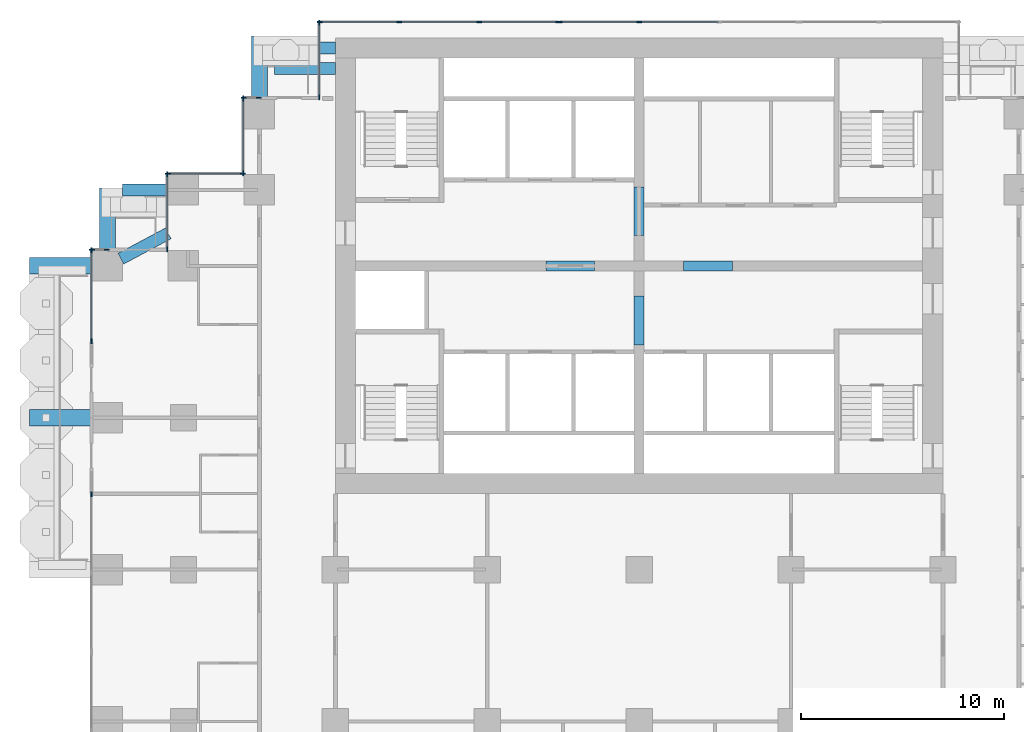
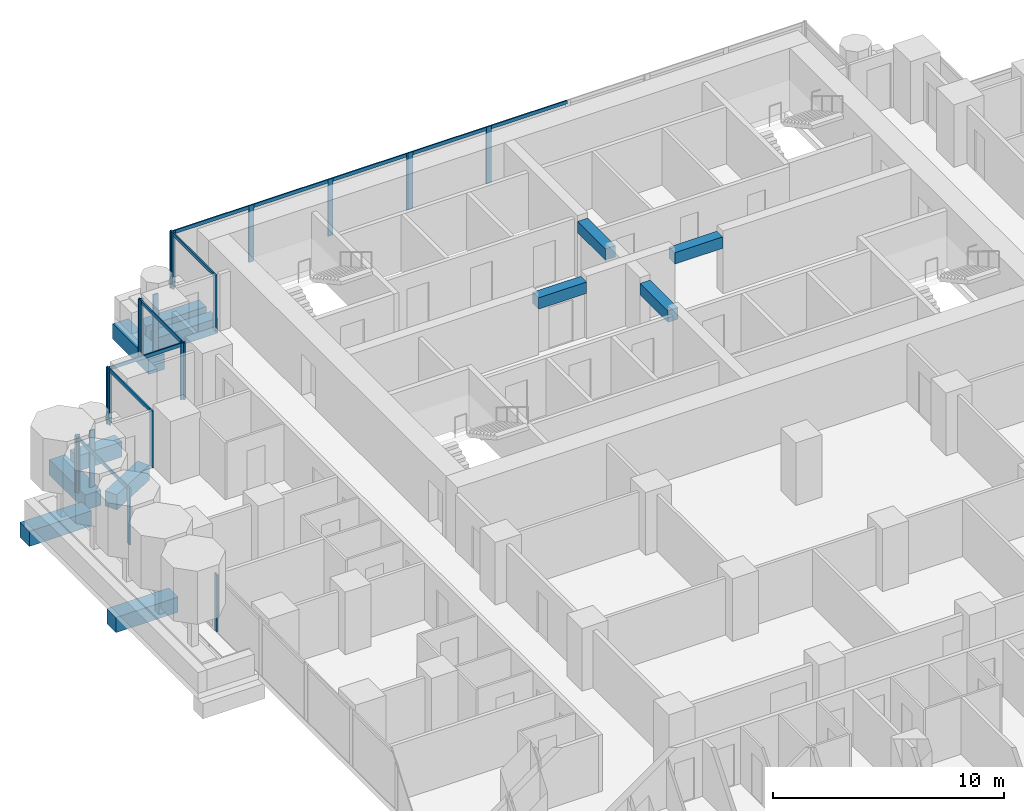
# One storey, part 5 of 19: 31 members, 12 beams, 10 elements without a shape of their own.
"""IFC4 building model written with IfcOpenShell, lengths in metres."""

from ifc_helpers import new_model, si_unit, direction, frame, origin, origin_2d, place, context, subcontext, project, spatial, rectangle, extrude, material, material_profile, profile_set, type_object, element, aggregate, save


model = new_model("IFC4")

# Units and contexts
model_context = context("Model", 3, precision=1e-05, world=origin(), true_north=direction((0.0, 1.0)))
body_context = subcontext(model_context, "Body", "Model", "MODEL_VIEW")
ifc_project = project(units=[si_unit("LENGTHUNIT", "METRE"), si_unit("AREAUNIT", "SQUARE_METRE"), si_unit("VOLUMEUNIT", "CUBIC_METRE"), si_unit("PLANEANGLEUNIT", "RADIAN"), si_unit("MASSUNIT", "GRAM", prefix="KILO")], contexts=[model_context])

# Site, building, storey
site_placement = place(None, origin())
site = spatial("IfcSite", under=ifc_project, at=site_placement, CompositionType="ELEMENT")
building_placement = place(site_placement, origin())
building = spatial("IfcBuilding", under=site, at=building_placement, Name="Pilkhan Gate Tower", CompositionType="ELEMENT")
storey_placement = place(building_placement, frame((0.0, 0.0, 69.199951171875)))
storey = spatial("IfcBuildingStorey", under=building, at=storey_placement, Name="L15", CompositionType="ELEMENT", Elevation=69.199951171875)

# Beams
ifc_material_1 = material(Name="Concrete C50/60", Category="concrete")
ifc_material_profile_1 = material_profile(ifc_material_1, rectangle(XDim=0.60009765625, YDim=0.800048828125, at=origin_2d()), Name="RC 600x800")
ifc_profile_set_1 = profile_set([ifc_material_profile_1], Name="Concrete C50/60")
beam_type_1 = type_object("IfcBeamType", Name="Cantilever beam CB1 RC 600x800 C50/60", PredefinedType="BEAM", material=ifc_profile_set_1)
for number, where, z_axis, x_axis, name in (
    (1, (60.0, 93.25, -0.699951171875), (-1.0, 0.0, 0.0), (0.0, -1.0, 0.0), "Balcony beam NW.2 L15"),
    (2, (60.0, 92.25, -0.699951171875), (-1.0, 0.0, 0.0), (0.0, -1.0, 0.0), "Balcony beam NW.3 L15"),
):
    element("IfcBeam", number, at=place(storey_placement, frame(where, z_axis=z_axis, x_axis=x_axis)), inside=storey, type_object=beam_type_1, Name=name, PredefinedType="BEAM", context=body_context, shape_type="SweptSolid", body=[
        extrude(rectangle(XDim=0.60009765625, YDim=0.800048828125, at=origin_2d()), origin(), (0.0, 0.0, 1.0), 3.0),
    ])
beam_1_placement = place(storey_placement, frame((51.75, 86.25, -0.699951171875), z_axis=(-1.0, 0.0, 0.0), x_axis=(0.0, -1.0, 0.0)))
element("IfcBeam", 3, at=beam_1_placement, inside=storey, type_object=beam_type_1, Name="Balcony beam NW2.2 L15", PredefinedType="BEAM", context=body_context, shape_type="SweptSolid", body=[
    extrude(rectangle(XDim=0.60009765625, YDim=0.800048828125, at=origin_2d()), origin(), (0.0, 0.0, 1.0), 2.25),
])
beam_2_placement = place(storey_placement, frame((49.411865234375, 82.85302734375, -0.699951171875), z_axis=(0.882342739565, 0.470607362817, 0.0), x_axis=(-0.470607362817, 0.882342739565, 0.0)))
element("IfcBeam", 4, at=beam_2_placement, inside=storey, type_object=beam_type_1, Name="Balcony beam NW2.3 L15", PredefinedType="BEAM", context=body_context, shape_type="SweptSolid", body=[
    extrude(rectangle(XDim=0.60009765625, YDim=0.800048828125, at=origin_2d()), origin(), (0.0, 0.0, 1.0), 2.64990234375),
])
ifc_material_profile_2 = material_profile(ifc_material_1, rectangle(XDim=0.800048828125, YDim=0.800048828125, at=origin_2d()), Name="RC 800x800")
ifc_profile_set_2 = profile_set([ifc_material_profile_2], Name="Concrete C50/60")
beam_type_2 = type_object("IfcBeamType", Name="Cantilever beam CB2 RC 800x800 C50/60", PredefinedType="BEAM", material=ifc_profile_set_2)
for number, where, z_axis, x_axis, name in (
    (5, (56.25, 90.75, -0.699951171875), (0.0, 1.0, 0.0), (-1.0, 0.0, 0.0), "Balcony beam NW.1 L15"),
    (6, (48.75, 83.25, -0.699951171875), (0.0, 1.0, 0.0), (-1.0, 0.0, 0.0), "Balcony beam NW2.1 L15"),
    (7, (48.0, 75.0, -0.699951171875), (-1.0, 0.0, 0.0), (0.0, -1.0, 0.0), "Balcony beam W.2 L15"),
    (8, (48.0, 82.5, -0.699951171875), (-1.0, 0.0, 0.0), (0.0, -1.0, 0.0), "Balcony beam W.3 L15"),
):
    element("IfcBeam", number, at=place(storey_placement, frame(where, z_axis=z_axis, x_axis=x_axis)), inside=storey, type_object=beam_type_2, Name=name, PredefinedType="BEAM", context=body_context, shape_type="SweptSolid", body=[
        extrude(rectangle(XDim=0.800048828125, YDim=0.800048828125, at=origin_2d()), origin(), (0.0, 0.0, 1.0), 3.10009765625),
    ])
ifc_material_2 = material(Name="Concrete C70/85", Category="concrete")
ifc_material_profile_3 = material_profile(ifc_material_2, rectangle(XDim=0.5, YDim=0.60009765625, at=origin_2d()), Name="RC 500x600")
ifc_profile_set_3 = profile_set([ifc_material_profile_3], Name="Concrete C70/85")
beam_type_3 = type_object("IfcBeamType", Name="Coupling beam CB60 RC 500x600 C70/85", PredefinedType="LINTEL", material=ifc_profile_set_3)
for number, where, z_axis, x_axis, name in (
    (9, (70.39990234375, 82.5, 2.699951171875), (1.0, 0.0, 0.0), (0.0, 1.0, 0.0), "Coupling beam 1 L15"),
    (10, (77.199951171875, 82.5, 2.699951171875), (1.0, 0.0, 0.0), (0.0, 1.0, 0.0), "Coupling beam 2 L15"),
):
    element("IfcBeam", number, at=place(storey_placement, frame(where, z_axis=z_axis, x_axis=x_axis)), inside=storey, type_object=beam_type_3, Name=name, PredefinedType="LINTEL", context=body_context, shape_type="SweptSolid", body=[
        extrude(rectangle(XDim=0.5, YDim=0.60009765625, at=origin_2d()), origin(), (0.0, 0.0, 1.0), 2.400146484375),
    ])
for number, where, z_axis, x_axis, name in (
    (11, (75.0, 78.60009765625, 2.699951171875), (0.0, 1.0, 0.0), (-1.0, 0.0, 0.0), "Coupling beam 3 L15"),
    (12, (75.0, 84.0, 2.699951171875), (0.0, 1.0, 0.0), (-1.0, 0.0, 0.0), "Coupling beam 4 L15"),
):
    element("IfcBeam", number, at=place(storey_placement, frame(where, z_axis=z_axis, x_axis=x_axis)), inside=storey, type_object=beam_type_3, Name=name, PredefinedType="LINTEL", context=body_context, shape_type="SweptSolid", body=[
        extrude(rectangle(XDim=0.5, YDim=0.60009765625, at=origin_2d()), origin(), (0.0, 0.0, 1.0), 2.39990234375),
    ])

# Curtain wall, members
ifc_material_3 = material(Name="Pale anodised aluminium, clear low-iron double glazing", Category="aluminium")
curtain_wall_type = type_object("IfcCurtainWallType", Name="Hotel unitised curtain wall CW-H", PredefinedType="USERDEFINED", material=ifc_material_3)
curtain_wall_1_placement = place(storey_placement, origin())
curtain_wall_1 = element("IfcCurtainWall", 13, at=curtain_wall_1_placement, inside=storey, type_object=curtain_wall_type, Name="Hotel unitised curtain wall CW-H L15 N", ObjectType="UNITISED CURTAIN WALL", PredefinedType="USERDEFINED")
ifc_material_4 = material(Name="Pale anodised aluminium", Category="aluminium")
ifc_material_profile_4 = material_profile(ifc_material_4, rectangle(XDim=0.06494140625, YDim=0.25, at=origin_2d()), Name="Mullion 250x65")
ifc_profile_set_4 = profile_set([ifc_material_profile_4], Name="Pale anodised aluminium")
member_type_1 = type_object("IfcMemberType", Name="Mullion CW-H 250x65", PredefinedType="MULLION", material=ifc_profile_set_4)
member_1_placement = place(storey_placement, frame((59.237548828125, 94.544921875, 0.0), z_axis=(0.0, 0.0, 1.0), x_axis=(0.0, 1.0, 0.0)))
member_1 = element("IfcMember", 14, at=member_1_placement, type_object=member_type_1, Name="CW-H mullion 1", PredefinedType="MULLION", context=body_context, shape_type="SweptSolid", body=[
    extrude(rectangle(XDim=0.06494140625, YDim=0.25, at=origin_2d()), origin(), (0.0, 0.0, 1.0), 3.0),
])
member_2_placement = place(storey_placement, frame((63.15380859375, 94.544921875, 0.0), z_axis=(0.0, 0.0, 1.0), x_axis=(0.0, 1.0, 0.0)))
member_2 = element("IfcMember", 15, at=member_2_placement, type_object=member_type_1, Name="CW-H mullion 2", PredefinedType="MULLION", context=body_context, shape_type="SweptSolid", body=[
    extrude(rectangle(XDim=0.06494140625, YDim=0.25, at=origin_2d()), origin(), (0.0, 0.0, 1.0), 3.0),
])
member_3_placement = place(storey_placement, frame((67.1025390625, 94.544921875, 0.0), z_axis=(0.0, 0.0, 1.0), x_axis=(0.0, 1.0, 0.0)))
member_3 = element("IfcMember", 16, at=member_3_placement, type_object=member_type_1, Name="CW-H mullion 3", PredefinedType="MULLION", context=body_context, shape_type="SweptSolid", body=[
    extrude(rectangle(XDim=0.06494140625, YDim=0.25, at=origin_2d()), origin(), (0.0, 0.0, 1.0), 3.0),
])
member_4_placement = place(storey_placement, frame((71.018798828125, 94.544921875, 0.0), z_axis=(0.0, 0.0, 1.0), x_axis=(0.0, 1.0, 0.0)))
member_4 = element("IfcMember", 17, at=member_4_placement, type_object=member_type_1, Name="CW-H mullion 4", PredefinedType="MULLION", context=body_context, shape_type="SweptSolid", body=[
    extrude(rectangle(XDim=0.06494140625, YDim=0.25, at=origin_2d()), origin(), (0.0, 0.0, 1.0), 3.0),
])

curtain_wall_2_placement = place(storey_placement, origin())
curtain_wall_2 = element("IfcCurtainWall", 18, at=curtain_wall_2_placement, inside=storey, type_object=curtain_wall_type, Name="Hotel unitised curtain wall CW-H L15 N", ObjectType="UNITISED CURTAIN WALL", PredefinedType="USERDEFINED")
member_5_placement = place(storey_placement, frame((71.083740234375, 94.544921875, 0.0), z_axis=(0.0, 0.0, 1.0), x_axis=(0.0, 1.0, 0.0)))
member_5 = element("IfcMember", 19, at=member_5_placement, type_object=member_type_1, Name="CW-H mullion 1", PredefinedType="MULLION", context=body_context, shape_type="SweptSolid", body=[
    extrude(rectangle(XDim=0.06494140625, YDim=0.25, at=origin_2d()), origin(), (0.0, 0.0, 1.0), 3.0),
])
member_6_placement = place(storey_placement, frame((75.0, 94.544921875, 0.0), z_axis=(0.0, 0.0, 1.0), x_axis=(0.0, 1.0, 0.0)))
member_6 = element("IfcMember", 20, at=member_6_placement, type_object=member_type_1, Name="CW-H mullion 2", PredefinedType="MULLION", context=body_context, shape_type="SweptSolid", body=[
    extrude(rectangle(XDim=0.06494140625, YDim=0.25, at=origin_2d()), origin(), (0.0, 0.0, 1.0), 3.0),
])

curtain_wall_3_placement = place(storey_placement, origin())
curtain_wall_3 = element("IfcCurtainWall", 21, at=curtain_wall_3_placement, inside=storey, type_object=curtain_wall_type, Name="Hotel unitised curtain wall CW-H L15 W", ObjectType="UNITISED CURTAIN WALL", PredefinedType="USERDEFINED")
member_7_placement = place(storey_placement, frame((59.205078125, 90.827392578125, 0.0), z_axis=(0.0, 0.0, 1.0), x_axis=(-1.0, 0.0, 0.0)))
member_7 = element("IfcMember", 22, at=member_7_placement, type_object=member_type_1, Name="CW-H mullion 1", PredefinedType="MULLION", context=body_context, shape_type="SweptSolid", body=[
    extrude(rectangle(XDim=0.06494140625, YDim=0.25, at=origin_2d()), origin(), (0.0, 0.0, 1.0), 3.0),
])
member_8_placement = place(storey_placement, frame((59.205078125, 94.512451171875, 0.0), z_axis=(0.0, 0.0, 1.0), x_axis=(-1.0, 0.0, 0.0)))
member_8 = element("IfcMember", 23, at=member_8_placement, type_object=member_type_1, Name="CW-H mullion 2", PredefinedType="MULLION", context=body_context, shape_type="SweptSolid", body=[
    extrude(rectangle(XDim=0.06494140625, YDim=0.25, at=origin_2d()), origin(), (0.0, 0.0, 1.0), 3.0),
])

curtain_wall_4_placement = place(storey_placement, origin())
curtain_wall_4 = element("IfcCurtainWall", 24, at=curtain_wall_4_placement, inside=storey, type_object=curtain_wall_type, Name="Hotel unitised curtain wall CW-H L15 N", ObjectType="UNITISED CURTAIN WALL", PredefinedType="USERDEFINED")
member_9_placement = place(storey_placement, frame((55.487548828125, 90.794921875, 0.0), z_axis=(0.0, 0.0, 1.0), x_axis=(0.0, 1.0, 0.0)))
member_9 = element("IfcMember", 25, at=member_9_placement, type_object=member_type_1, Name="CW-H mullion 1", PredefinedType="MULLION", context=body_context, shape_type="SweptSolid", body=[
    extrude(rectangle(XDim=0.06494140625, YDim=0.25, at=origin_2d()), origin(), (0.0, 0.0, 1.0), 3.0),
])
member_10_placement = place(storey_placement, frame((56.217529296875, 90.794921875, 0.0), z_axis=(0.0, 0.0, 1.0), x_axis=(0.0, 1.0, 0.0)))
member_10 = element("IfcMember", 26, at=member_10_placement, type_object=member_type_1, Name="CW-H mullion 2", PredefinedType="MULLION", context=body_context, shape_type="SweptSolid", body=[
    extrude(rectangle(XDim=0.06494140625, YDim=0.25, at=origin_2d()), origin(), (0.0, 0.0, 1.0), 3.0),
])
aggregate(curtain_wall_4, [member_9, member_10])

curtain_wall_5_placement = place(storey_placement, origin())
curtain_wall_5 = element("IfcCurtainWall", 27, at=curtain_wall_5_placement, inside=storey, type_object=curtain_wall_type, Name="Hotel unitised curtain wall CW-H L15 W", ObjectType="UNITISED CURTAIN WALL", PredefinedType="USERDEFINED")
member_11_placement = place(storey_placement, frame((55.455078125, 87.077392578125, 0.0), z_axis=(0.0, 0.0, 1.0), x_axis=(-1.0, 0.0, 0.0)))
member_11 = element("IfcMember", 28, at=member_11_placement, type_object=member_type_1, Name="CW-H mullion 1", PredefinedType="MULLION", context=body_context, shape_type="SweptSolid", body=[
    extrude(rectangle(XDim=0.06494140625, YDim=0.25, at=origin_2d()), origin(), (0.0, 0.0, 1.0), 3.0),
])
member_12_placement = place(storey_placement, frame((55.455078125, 90.762451171875, 0.0), z_axis=(0.0, 0.0, 1.0), x_axis=(-1.0, 0.0, 0.0)))
member_12 = element("IfcMember", 29, at=member_12_placement, type_object=member_type_1, Name="CW-H mullion 2", PredefinedType="MULLION", context=body_context, shape_type="SweptSolid", body=[
    extrude(rectangle(XDim=0.06494140625, YDim=0.25, at=origin_2d()), origin(), (0.0, 0.0, 1.0), 3.0),
])

curtain_wall_6_placement = place(storey_placement, origin())
curtain_wall_6 = element("IfcCurtainWall", 30, at=curtain_wall_6_placement, inside=storey, type_object=curtain_wall_type, Name="Hotel unitised curtain wall CW-H L15 N", ObjectType="UNITISED CURTAIN WALL", PredefinedType="USERDEFINED")
member_13_placement = place(storey_placement, frame((51.737548828125, 87.044921875, 0.0), z_axis=(0.0, 0.0, 1.0), x_axis=(0.0, 1.0, 0.0)))
member_13 = element("IfcMember", 31, at=member_13_placement, type_object=member_type_1, Name="CW-H mullion 1", PredefinedType="MULLION", context=body_context, shape_type="SweptSolid", body=[
    extrude(rectangle(XDim=0.06494140625, YDim=0.25, at=origin_2d()), origin(), (0.0, 0.0, 1.0), 3.0),
])
member_14_placement = place(storey_placement, frame((55.422607421875, 87.044921875, 0.0), z_axis=(0.0, 0.0, 1.0), x_axis=(0.0, 1.0, 0.0)))
member_14 = element("IfcMember", 32, at=member_14_placement, type_object=member_type_1, Name="CW-H mullion 2", PredefinedType="MULLION", context=body_context, shape_type="SweptSolid", body=[
    extrude(rectangle(XDim=0.06494140625, YDim=0.25, at=origin_2d()), origin(), (0.0, 0.0, 1.0), 3.0),
])

curtain_wall_7_placement = place(storey_placement, origin())
curtain_wall_7 = element("IfcCurtainWall", 33, at=curtain_wall_7_placement, inside=storey, type_object=curtain_wall_type, Name="Hotel unitised curtain wall CW-H L15 W", ObjectType="UNITISED CURTAIN WALL", PredefinedType="USERDEFINED")
member_15_placement = place(storey_placement, frame((51.705078125, 83.327392578125, 0.0), z_axis=(0.0, 0.0, 1.0), x_axis=(-1.0, 0.0, 0.0)))
member_15 = element("IfcMember", 34, at=member_15_placement, type_object=member_type_1, Name="CW-H mullion 1", PredefinedType="MULLION", context=body_context, shape_type="SweptSolid", body=[
    extrude(rectangle(XDim=0.06494140625, YDim=0.25, at=origin_2d()), origin(), (0.0, 0.0, 1.0), 3.0),
])
member_16_placement = place(storey_placement, frame((51.705078125, 87.012451171875, 0.0), z_axis=(0.0, 0.0, 1.0), x_axis=(-1.0, 0.0, 0.0)))
member_16 = element("IfcMember", 35, at=member_16_placement, type_object=member_type_1, Name="CW-H mullion 2", PredefinedType="MULLION", context=body_context, shape_type="SweptSolid", body=[
    extrude(rectangle(XDim=0.06494140625, YDim=0.25, at=origin_2d()), origin(), (0.0, 0.0, 1.0), 3.0),
])

curtain_wall_8_placement = place(storey_placement, origin())
curtain_wall_8 = element("IfcCurtainWall", 36, at=curtain_wall_8_placement, inside=storey, type_object=curtain_wall_type, Name="Hotel unitised curtain wall CW-H L15 N", ObjectType="UNITISED CURTAIN WALL", PredefinedType="USERDEFINED")
member_17_placement = place(storey_placement, frame((47.987548828125, 83.294921875, 0.0), z_axis=(0.0, 0.0, 1.0), x_axis=(0.0, 1.0, 0.0)))
member_17 = element("IfcMember", 37, at=member_17_placement, type_object=member_type_1, Name="CW-H mullion 1", PredefinedType="MULLION", context=body_context, shape_type="SweptSolid", body=[
    extrude(rectangle(XDim=0.06494140625, YDim=0.25, at=origin_2d()), origin(), (0.0, 0.0, 1.0), 3.0),
])
member_18_placement = place(storey_placement, frame((48.717529296875, 83.294921875, 0.0), z_axis=(0.0, 0.0, 1.0), x_axis=(0.0, 1.0, 0.0)))
member_18 = element("IfcMember", 38, at=member_18_placement, type_object=member_type_1, Name="CW-H mullion 2", PredefinedType="MULLION", context=body_context, shape_type="SweptSolid", body=[
    extrude(rectangle(XDim=0.06494140625, YDim=0.25, at=origin_2d()), origin(), (0.0, 0.0, 1.0), 3.0),
])
aggregate(curtain_wall_8, [member_17, member_18])

# Curtain wall, member
curtain_wall_9_placement = place(storey_placement, origin())
curtain_wall_9 = element("IfcCurtainWall", 39, at=curtain_wall_9_placement, inside=storey, type_object=curtain_wall_type, Name="Hotel unitised curtain wall CW-H L15 W", ObjectType="UNITISED CURTAIN WALL", PredefinedType="USERDEFINED")
member_19_placement = place(storey_placement, frame((47.955078125, 71.217529296875, 0.0), z_axis=(0.0, 0.0, 1.0), x_axis=(-1.0, 0.0, 0.0)))
member_19 = element("IfcMember", 40, at=member_19_placement, type_object=member_type_1, Name="CW-H mullion 3", PredefinedType="MULLION", context=body_context, shape_type="SweptSolid", body=[
    extrude(rectangle(XDim=0.06494140625, YDim=0.25, at=origin_2d()), origin(), (0.0, 0.0, 1.0), 3.0),
])
aggregate(curtain_wall_9, [member_19])

# Curtain wall, members
curtain_wall_10_placement = place(storey_placement, origin())
curtain_wall_10 = element("IfcCurtainWall", 41, at=curtain_wall_10_placement, inside=storey, type_object=curtain_wall_type, Name="Hotel unitised curtain wall CW-H L15 W", ObjectType="UNITISED CURTAIN WALL", PredefinedType="USERDEFINED")
member_20_placement = place(storey_placement, frame((47.955078125, 78.782470703125, 0.0), z_axis=(0.0, 0.0, 1.0), x_axis=(-1.0, 0.0, 0.0)))
member_20 = element("IfcMember", 42, at=member_20_placement, type_object=member_type_1, Name="CW-H mullion 1", PredefinedType="MULLION", context=body_context, shape_type="SweptSolid", body=[
    extrude(rectangle(XDim=0.06494140625, YDim=0.25, at=origin_2d()), origin(), (0.0, 0.0, 1.0), 3.0),
])
member_21_placement = place(storey_placement, frame((47.955078125, 83.262451171875, 0.0), z_axis=(0.0, 0.0, 1.0), x_axis=(-1.0, 0.0, 0.0)))
member_21 = element("IfcMember", 43, at=member_21_placement, type_object=member_type_1, Name="CW-H mullion 2", PredefinedType="MULLION", context=body_context, shape_type="SweptSolid", body=[
    extrude(rectangle(XDim=0.06494140625, YDim=0.25, at=origin_2d()), origin(), (0.0, 0.0, 1.0), 3.0),
])

# Member
ifc_material_profile_5 = material_profile(ifc_material_4, rectangle(XDim=0.06494140625, YDim=0.179931640625, at=origin_2d()), Name="Transom 180x65")
ifc_profile_set_5 = profile_set([ifc_material_profile_5], Name="Pale anodised aluminium")
member_type_2 = type_object("IfcMemberType", Name="Transom CW-H 180x65", PredefinedType="USERDEFINED", material=ifc_profile_set_5)
member_22_placement = place(storey_placement, frame((59.27001953125, 94.544921875, 2.91015625), z_axis=(1.0, 0.0, 0.0), x_axis=(0.0, 1.0, 0.0)))
member_22 = element("IfcMember", 44, at=member_22_placement, type_object=member_type_2, Name="CW-H transom 1", ObjectType="TRANSOM", PredefinedType="USERDEFINED", context=body_context, shape_type="SweptSolid", body=[
    extrude(rectangle(XDim=0.06494140625, YDim=0.179931640625, at=origin_2d()), origin(), (0.0, 0.0, 1.0), 3.851318359375),
])

member_23_placement = place(storey_placement, frame((63.186279296875, 94.544921875, 2.91015625), z_axis=(1.0, 0.0, 0.0), x_axis=(0.0, 1.0, 0.0)))
member_23 = element("IfcMember", 45, at=member_23_placement, type_object=member_type_2, Name="CW-H transom 2", ObjectType="TRANSOM", PredefinedType="USERDEFINED", context=body_context, shape_type="SweptSolid", body=[
    extrude(rectangle(XDim=0.06494140625, YDim=0.179931640625, at=origin_2d()), origin(), (0.0, 0.0, 1.0), 3.8837890625),
])

member_24_placement = place(storey_placement, frame((67.135009765625, 94.544921875, 2.91015625), z_axis=(1.0, 0.0, 0.0), x_axis=(0.0, 1.0, 0.0)))
member_24 = element("IfcMember", 46, at=member_24_placement, type_object=member_type_2, Name="CW-H transom 3", ObjectType="TRANSOM", PredefinedType="USERDEFINED", context=body_context, shape_type="SweptSolid", body=[
    extrude(rectangle(XDim=0.06494140625, YDim=0.179931640625, at=origin_2d()), origin(), (0.0, 0.0, 1.0), 3.851318359375),
])

aggregate(curtain_wall_1, [member_1, member_2, member_3, member_4, member_22, member_23, member_24])

member_25_placement = place(storey_placement, frame((71.1162109375, 94.544921875, 2.91015625), z_axis=(1.0, 0.0, 0.0), x_axis=(0.0, 1.0, 0.0)))
member_25 = element("IfcMember", 47, at=member_25_placement, type_object=member_type_2, Name="CW-H transom 1", ObjectType="TRANSOM", PredefinedType="USERDEFINED", context=body_context, shape_type="SweptSolid", body=[
    extrude(rectangle(XDim=0.06494140625, YDim=0.179931640625, at=origin_2d()), origin(), (0.0, 0.0, 1.0), 3.851318359375),
])

member_26_placement = place(storey_placement, frame((75.032470703125, 94.544921875, 2.91015625), z_axis=(1.0, 0.0, 0.0), x_axis=(0.0, 1.0, 0.0)))
member_26 = element("IfcMember", 48, at=member_26_placement, type_object=member_type_2, Name="CW-H transom 2", ObjectType="TRANSOM", PredefinedType="USERDEFINED", context=body_context, shape_type="SweptSolid", body=[
    extrude(rectangle(XDim=0.06494140625, YDim=0.179931640625, at=origin_2d()), origin(), (0.0, 0.0, 1.0), 3.8837890625),
])

aggregate(curtain_wall_2, [member_5, member_6, member_25, member_26])

member_27_placement = place(storey_placement, frame((59.205078125, 90.860107421875, 2.91015625), z_axis=(0.0, 1.0, 0.0), x_axis=(-1.0, 0.0, 0.0)))
member_27 = element("IfcMember", 49, at=member_27_placement, type_object=member_type_2, Name="CW-H transom 1", ObjectType="TRANSOM", PredefinedType="USERDEFINED", context=body_context, shape_type="SweptSolid", body=[
    extrude(rectangle(XDim=0.06494140625, YDim=0.179931640625, at=origin_2d()), origin(), (0.0, 0.0, 1.0), 3.619873046875),
])

aggregate(curtain_wall_3, [member_7, member_8, member_27])

member_28_placement = place(storey_placement, frame((55.455078125, 87.110107421875, 2.91015625), z_axis=(0.0, 1.0, 0.0), x_axis=(-1.0, 0.0, 0.0)))
member_28 = element("IfcMember", 50, at=member_28_placement, type_object=member_type_2, Name="CW-H transom 1", ObjectType="TRANSOM", PredefinedType="USERDEFINED", context=body_context, shape_type="SweptSolid", body=[
    extrude(rectangle(XDim=0.06494140625, YDim=0.179931640625, at=origin_2d()), origin(), (0.0, 0.0, 1.0), 3.619873046875),
])

aggregate(curtain_wall_5, [member_11, member_12, member_28])

member_29_placement = place(storey_placement, frame((51.77001953125, 87.044921875, 2.91015625), z_axis=(1.0, 0.0, 0.0), x_axis=(0.0, 1.0, 0.0)))
member_29 = element("IfcMember", 51, at=member_29_placement, type_object=member_type_2, Name="CW-H transom 1", ObjectType="TRANSOM", PredefinedType="USERDEFINED", context=body_context, shape_type="SweptSolid", body=[
    extrude(rectangle(XDim=0.06494140625, YDim=0.179931640625, at=origin_2d()), origin(), (0.0, 0.0, 1.0), 3.619873046875),
])

aggregate(curtain_wall_6, [member_13, member_14, member_29])

member_30_placement = place(storey_placement, frame((51.705078125, 83.360107421875, 2.91015625), z_axis=(0.0, 1.0, 0.0), x_axis=(-1.0, 0.0, 0.0)))
member_30 = element("IfcMember", 52, at=member_30_placement, type_object=member_type_2, Name="CW-H transom 1", ObjectType="TRANSOM", PredefinedType="USERDEFINED", context=body_context, shape_type="SweptSolid", body=[
    extrude(rectangle(XDim=0.06494140625, YDim=0.179931640625, at=origin_2d()), origin(), (0.0, 0.0, 1.0), 3.619873046875),
])

aggregate(curtain_wall_7, [member_15, member_16, member_30])

member_31_placement = place(storey_placement, frame((47.955078125, 78.81494140625, 2.91015625), z_axis=(0.0, 1.0, 0.0), x_axis=(-1.0, 0.0, 0.0)))
member_31 = element("IfcMember", 53, at=member_31_placement, type_object=member_type_2, Name="CW-H transom 1", ObjectType="TRANSOM", PredefinedType="USERDEFINED", context=body_context, shape_type="SweptSolid", body=[
    extrude(rectangle(XDim=0.06494140625, YDim=0.179931640625, at=origin_2d()), origin(), (0.0, 0.0, 1.0), 4.4150390625),
])

aggregate(curtain_wall_10, [member_20, member_21, member_31])

save(model, "model.ifc")
